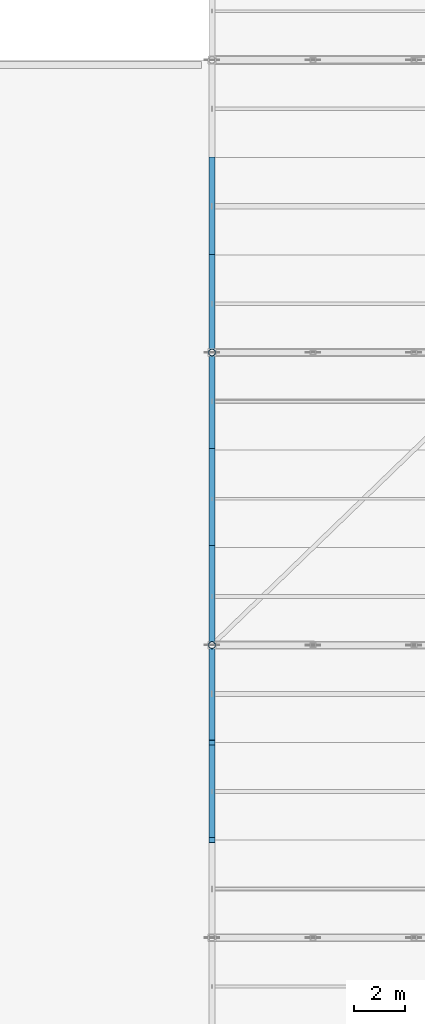
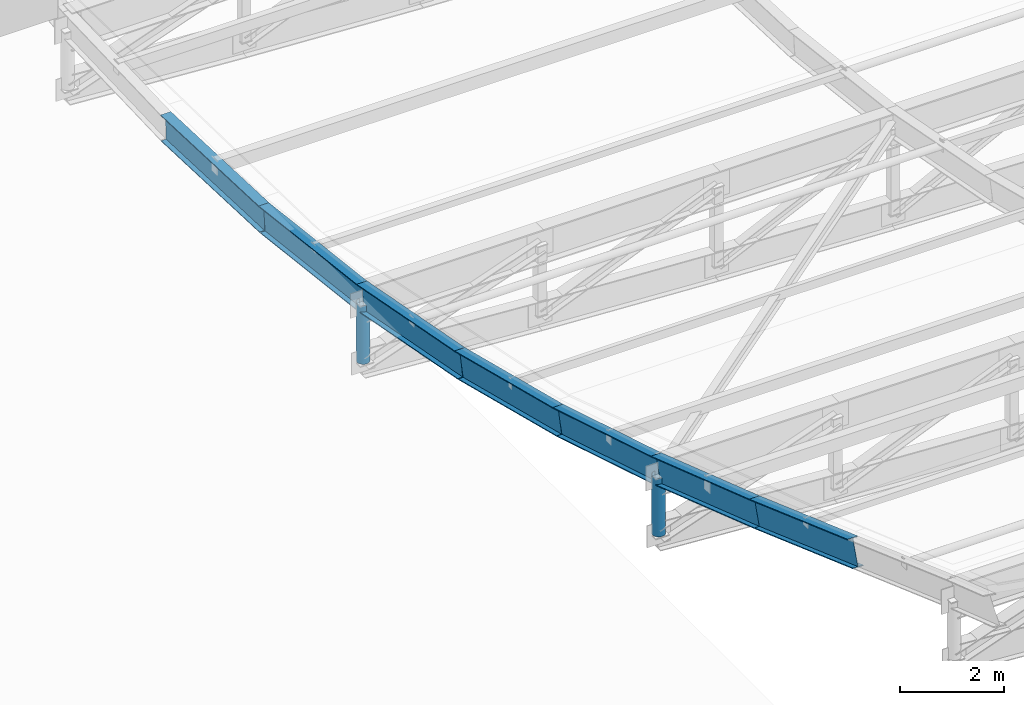
# One storey, part 3 of 65: 9 members.
"""IFC4 building model written with IfcOpenShell, lengths in metres."""

from ifc_helpers import new_model, si_unit, direction, frame, origin, origin_2d, place, context, subcontext, project, spatial, hollow_circle, i_section, extrude, material, material_profile, profile_set, type_object, element, save


model = new_model("IFC4")

# Units and contexts
model_context = context("Model", 3, precision=1e-05, world=origin(), true_north=direction((0.0, 1.0)))
body_context = subcontext(model_context, "Body", "Model", "MODEL_VIEW")
ifc_project = project(units=[si_unit("LENGTHUNIT", "METRE"), si_unit("AREAUNIT", "SQUARE_METRE"), si_unit("VOLUMEUNIT", "CUBIC_METRE"), si_unit("PLANEANGLEUNIT", "RADIAN"), si_unit("MASSUNIT", "GRAM", prefix="KILO"), si_unit("POWERUNIT", "WATT"), si_unit("THERMODYNAMICTEMPERATUREUNIT", "KELVIN")], contexts=[model_context])

# Site, building, storey
site_placement = place(None, origin())
site = spatial("IfcSite", under=ifc_project, at=site_placement, CompositionType="ELEMENT")
building_placement = place(site_placement, origin())
building = spatial("IfcBuilding", under=site, at=building_placement, Name="Kelmbourne Parkland Aquatics Centre", CompositionType="ELEMENT")
storey_placement = place(building_placement, frame((0.0, 0.0, 27.0)))
storey = spatial("IfcBuildingStorey", under=building, at=storey_placement, Name="RF", CompositionType="ELEMENT", Elevation=27.0)

# Members
ifc_material_1 = material(Name="Structural steel AS/NZS 3679.1 Grade 300", Category="steel")
ifc_material_profile_1 = material_profile(ifc_material_1, i_section(OverallWidth=0.22900390625, OverallDepth=0.612060546875, WebThickness=0.011962890625, FlangeThickness=0.01953125, at=origin_2d()), Name="610UB125")
ifc_profile_set_1 = profile_set([ifc_material_profile_1], Name="Structural steel AS/NZS 3679.1 Grade 300")
member_type_1 = type_object("IfcMemberType", Name="MB-LRIB", PredefinedType="STRUT", material=ifc_profile_set_1)
member_1_placement = place(storey_placement, frame((128.0, 27.39990234375, -6.800048828125), z_axis=(0.0, 0.941721377318, -0.336393887433), x_axis=(-1.0, 0.0, 0.0)))
element("IfcMember", 1, at=member_1_placement, inside=storey, type_object=member_type_1, Name="Longitudinal wave rib K0 strip 08", PredefinedType="STRUT", context=body_context, shape_type="SweptSolid", body=[
    extrude(i_section(OverallWidth=0.22900390625, OverallDepth=0.612060546875, WebThickness=0.011962890625, FlangeThickness=0.01953125, at=origin_2d()), origin(), (0.0, 0.0, 1.0), 4.03515625),
])
member_2_placement = place(storey_placement, frame((128.0, 31.199951171875, -8.157470703125), z_axis=(0.0, 0.946978369756, -0.321297319029), x_axis=(-1.0, 0.0, 0.0)))
element("IfcMember", 2, at=member_2_placement, inside=storey, type_object=member_type_1, Name="Longitudinal wave rib K0 strip 09", PredefinedType="STRUT", context=body_context, shape_type="SweptSolid", body=[
    extrude(i_section(OverallWidth=0.22900390625, OverallDepth=0.612060546875, WebThickness=0.011962890625, FlangeThickness=0.01953125, at=origin_2d()), origin(), (0.0, 0.0, 1.0), 4.0126953125),
])
member_3_placement = place(storey_placement, frame((128.0, 35.0, -9.44677734375), z_axis=(0.0, 0.956676857842, -0.291151832676), x_axis=(-1.0, 0.0, 0.0)))
element("IfcMember", 3, at=member_3_placement, inside=storey, type_object=member_type_1, Name="Longitudinal wave rib K0 strip 10", PredefinedType="STRUT", context=body_context, shape_type="SweptSolid", body=[
    extrude(i_section(OverallWidth=0.22900390625, OverallDepth=0.612060546875, WebThickness=0.011962890625, FlangeThickness=0.01953125, at=origin_2d()), origin(), (0.0, 0.0, 1.0), 3.97216796875),
])
member_4_placement = place(storey_placement, frame((128.0, 38.800048828125, -10.603271484375), z_axis=(0.0, 0.96918642233, -0.246328396193), x_axis=(-1.0, 0.0, 0.0)))
element("IfcMember", 4, at=member_4_placement, inside=storey, type_object=member_type_1, Name="Longitudinal wave rib K0 strip 11", PredefinedType="STRUT", context=body_context, shape_type="SweptSolid", body=[
    extrude(i_section(OverallWidth=0.22900390625, OverallDepth=0.612060546875, WebThickness=0.011962890625, FlangeThickness=0.01953125, at=origin_2d()), origin(), (0.0, 0.0, 1.0), 3.9208984375),
])
member_5_placement = place(storey_placement, frame((128.0, 42.60009765625, -11.569091796875), z_axis=(0.0, 0.982194109661, -0.187868919588), x_axis=(-1.0, 0.0, 0.0)))
element("IfcMember", 5, at=member_5_placement, inside=storey, type_object=member_type_1, Name="Longitudinal wave rib K0 strip 12", PredefinedType="STRUT", context=body_context, shape_type="SweptSolid", body=[
    extrude(i_section(OverallWidth=0.22900390625, OverallDepth=0.612060546875, WebThickness=0.011962890625, FlangeThickness=0.01953125, at=origin_2d()), origin(), (0.0, 0.0, 1.0), 3.86865234375),
])
member_6_placement = place(storey_placement, frame((128.0, 46.39990234375, -12.2958984375), z_axis=(0.0, 0.993025491234, -0.117899846309), x_axis=(-1.0, 0.0, 0.0)))
element("IfcMember", 6, at=member_6_placement, inside=storey, type_object=member_type_1, Name="Longitudinal wave rib K0 strip 13", PredefinedType="STRUT", context=body_context, shape_type="SweptSolid", body=[
    extrude(i_section(OverallWidth=0.22900390625, OverallDepth=0.612060546875, WebThickness=0.011962890625, FlangeThickness=0.01953125, at=origin_2d()), origin(), (0.0, 0.0, 1.0), 3.82666015625),
])
member_7_placement = place(storey_placement, frame((128.0, 50.199951171875, -12.7470703125), z_axis=(0.0, 0.999192218412, -0.040185951091), x_axis=(-1.0, 0.0, 0.0)))
element("IfcMember", 7, at=member_7_placement, inside=storey, type_object=member_type_1, Name="Longitudinal wave rib K0 strip 14", PredefinedType="STRUT", context=body_context, shape_type="SweptSolid", body=[
    extrude(i_section(OverallWidth=0.22900390625, OverallDepth=0.612060546875, WebThickness=0.011962890625, FlangeThickness=0.01953125, at=origin_2d()), origin(), (0.0, 0.0, 1.0), 3.80322265625),
])
ifc_material_2 = material(Name="Cold-formed hollow steel AS/NZS 1163 C350L0", Category="steel")
ifc_material_profile_2 = material_profile(ifc_material_2, hollow_circle(Radius=0.136474609375, WallThickness=0.00927734375, at=origin_2d()), Name="CHS 273.1x9.3")
ifc_profile_set_2 = profile_set([ifc_material_profile_2], Name="Cold-formed hollow steel AS/NZS 1163 C350L0")
member_type_2 = type_object("IfcMemberType", Name="MB-POST2", PredefinedType="STRUT", material=ifc_profile_set_2)
member_8_placement = place(storey_placement, frame((128.0, 35.0, -10.94677734375), z_axis=(0.0, 0.0, 1.0), x_axis=(1.0, 0.0, 0.0)))
element("IfcMember", 8, at=member_8_placement, inside=storey, type_object=member_type_2, Name="Roof truss R03 vertical post 0", PredefinedType="STRUT", context=body_context, shape_type="SweptSolid", body=[
    extrude(hollow_circle(Radius=0.136474609375, WallThickness=0.00927734375, at=origin_2d()), origin(), (0.0, 0.0, 1.0), 1.380126953125),
])
member_9_placement = place(storey_placement, frame((128.0, 46.39990234375, -13.7958984375), z_axis=(0.0, 0.0, 1.0), x_axis=(1.0, 0.0, 0.0)))
element("IfcMember", 9, at=member_9_placement, inside=storey, type_object=member_type_2, Name="Roof truss R04 vertical post 0", PredefinedType="STRUT", context=body_context, shape_type="SweptSolid", body=[
    extrude(hollow_circle(Radius=0.136474609375, WallThickness=0.00927734375, at=origin_2d()), origin(), (0.0, 0.0, 1.0), 1.3798828125),
])

save(model, "model.ifc")
